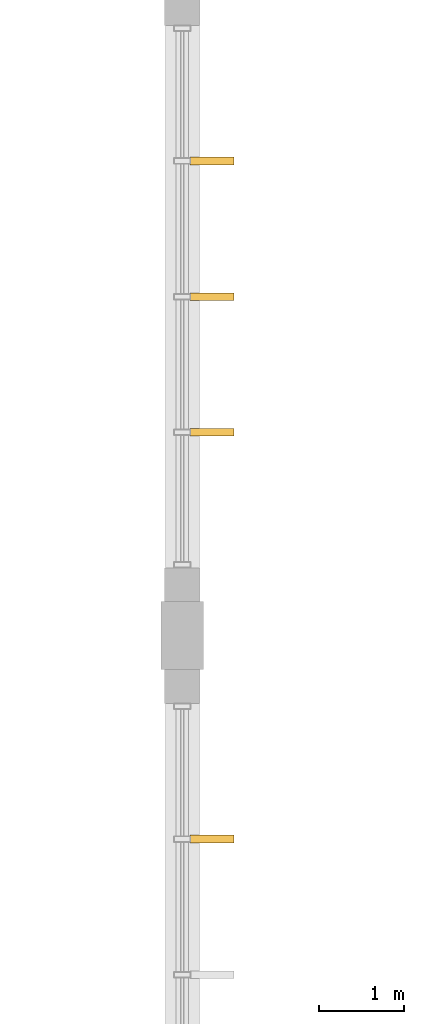
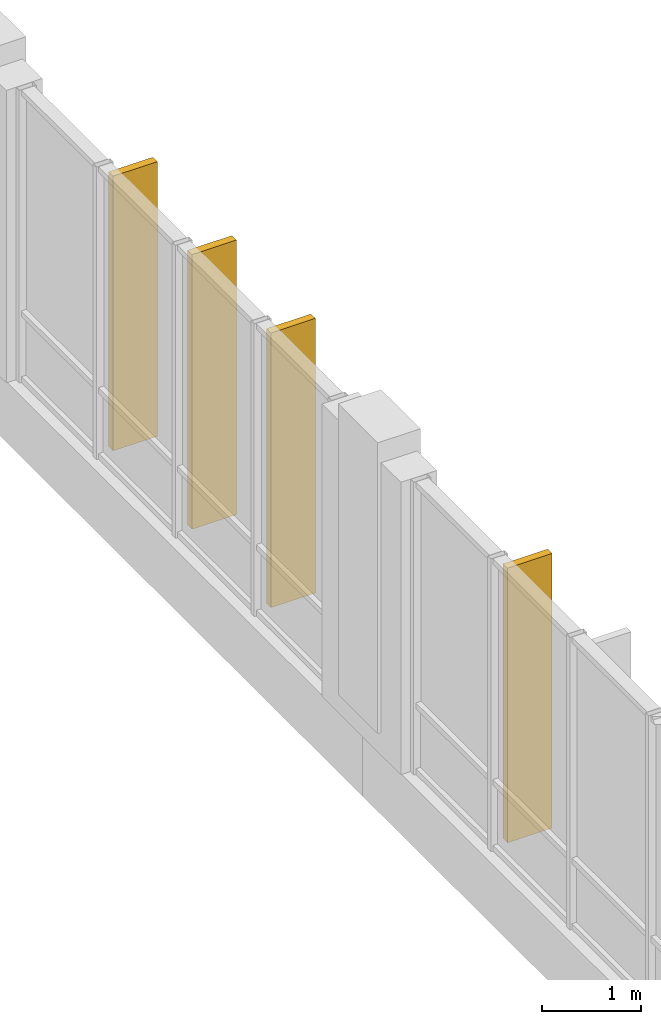
# One storey, part 176 of 189: 4 shading devices.
"""IFC4 building model written with IfcOpenShell, lengths in metres."""

from ifc_helpers import new_model, si_unit, direction, frame, origin, origin_2d, place, context, subcontext, project, spatial, rectangle, extrude, material, type_object, element, save


model = new_model("IFC4")

# Units and contexts
model_context = context("Model", 3, precision=1e-05, world=origin(), true_north=direction((0.0, 1.0)))
body_context = subcontext(model_context, "Body", "Model", "MODEL_VIEW")
ifc_project = project(units=[si_unit("LENGTHUNIT", "METRE"), si_unit("AREAUNIT", "SQUARE_METRE"), si_unit("VOLUMEUNIT", "CUBIC_METRE"), si_unit("PLANEANGLEUNIT", "RADIAN"), si_unit("MASSUNIT", "GRAM", prefix="KILO")], contexts=[model_context])

# Site, building, storey
site_placement = place(None, origin())
site = spatial("IfcSite", under=ifc_project, at=site_placement, CompositionType="ELEMENT")
building_placement = place(site_placement, origin())
building = spatial("IfcBuilding", under=site, at=building_placement, Name="Zavelmont Quarter", CompositionType="ELEMENT")
storey_placement = place(building_placement, frame((0.0, 0.0, 4.39990234375)))
storey = spatial("IfcBuildingStorey", under=building, at=storey_placement, Name="L01", CompositionType="ELEMENT", Elevation=4.39990234375)

# Shading devices
ifc_material = material(Name="Anodised aluminium EN AW-6063-T6", Category="aluminium")
shading_device_type = type_object("IfcShadingDeviceType", Name="SD04", PredefinedType="JALOUSIE", material=ifc_material)
for number, where, z_axis, x_axis, name in (
    (1, (113.14990234375, 51.60009765625, -0.229736328125), (0.0, 0.0, 1.0), (0.0, 1.0, 0.0), "L01 solar brise-soleil fin SD04"),
    (2, (113.14990234375, 56.39990234375, -0.229736328125), (0.0, 0.0, 1.0), (0.0, 1.0, 0.0), "L01 solar brise-soleil fin SD04"),
    (3, (113.14990234375, 58.0, -0.229736328125), (0.0, 0.0, 1.0), (0.0, 1.0, 0.0), "L01 solar brise-soleil fin SD04"),
    (4, (113.14990234375, 59.60009765625, -0.229736328125), (0.0, 0.0, 1.0), (0.0, 1.0, 0.0), "L01 solar brise-soleil fin SD04"),
):
    element("IfcShadingDevice", number, at=place(storey_placement, frame(where, z_axis=z_axis, x_axis=x_axis)), inside=storey, type_object=shading_device_type, Name=name, PredefinedType="JALOUSIE", context=body_context, shape_type="SweptSolid", body=[
        extrude(rectangle(XDim=0.090087890625, YDim=0.52001953125, at=origin_2d()), origin(), (0.0, 0.0, 1.0), 3.39990234375),
    ])

save(model, "model.ifc")
